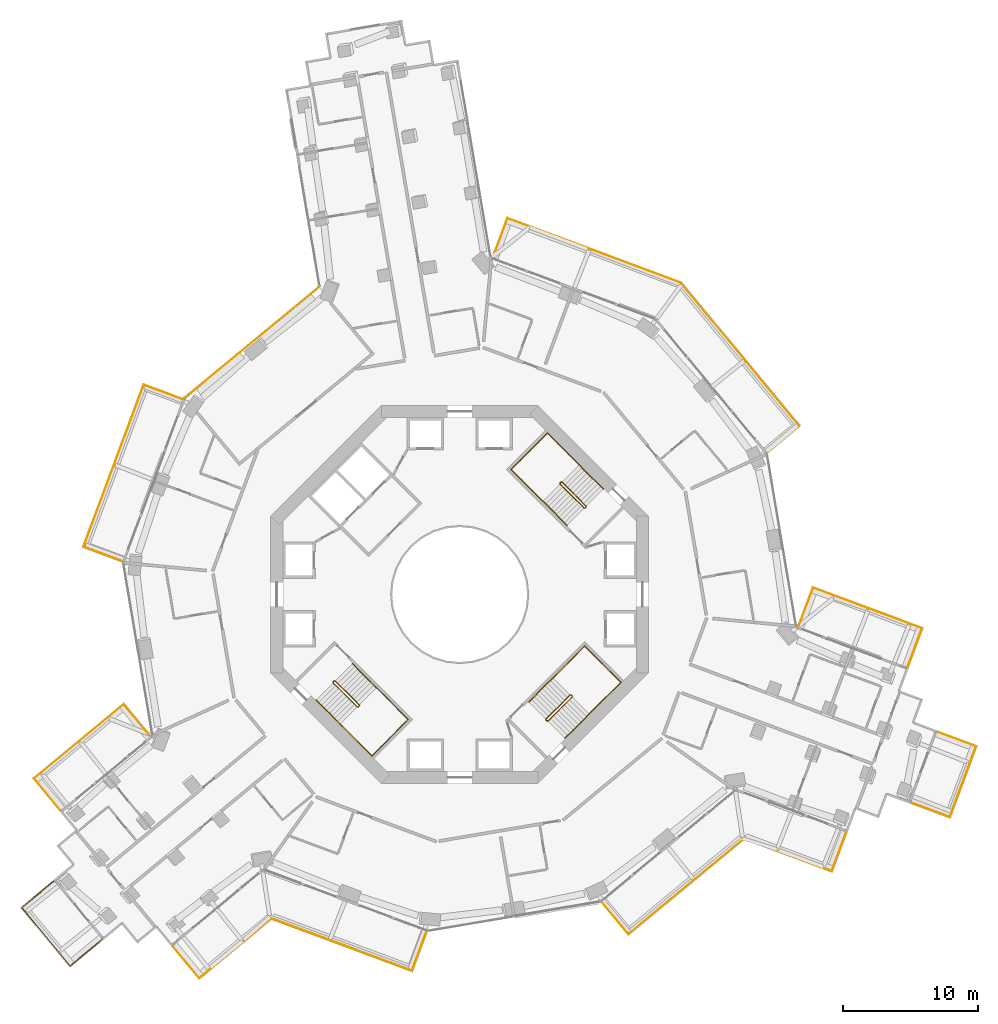
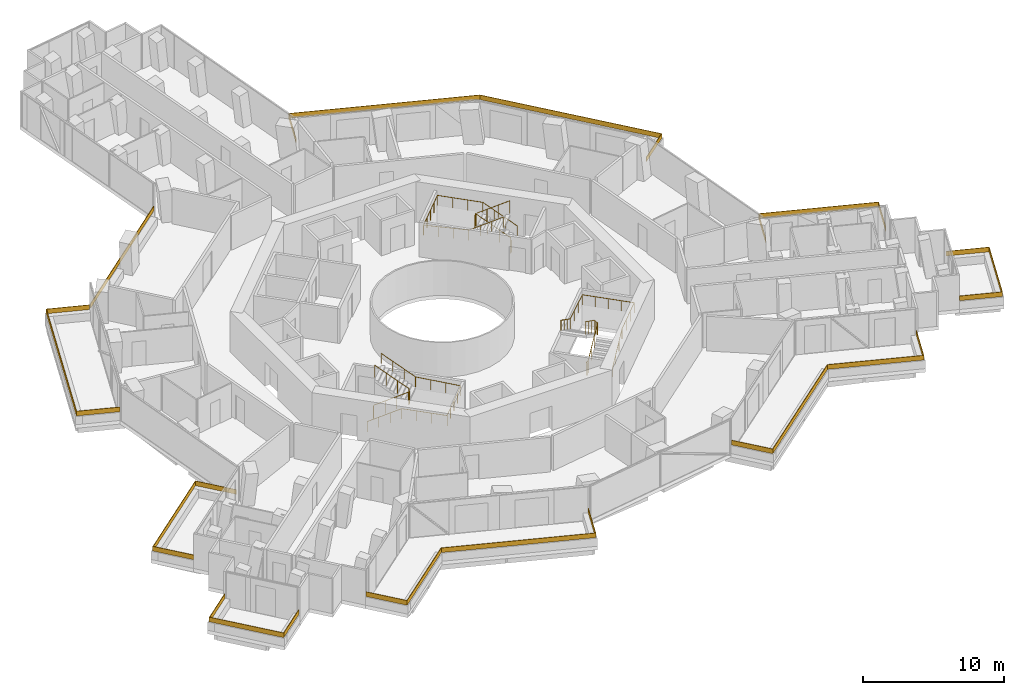
# One storey, part 27 of 27: 15 railings.
"""IFC4 building model written with IfcOpenShell, lengths in metres."""

from ifc_helpers import new_model, si_unit, direction, frame, origin, origin_2d, place, context, subcontext, project, spatial, polyline, rectangle, circle, outline, extrude, material, layer, layer_set, type_object, element, save


model = new_model("IFC4")

# Units and contexts
model_context = context("Model", 3, precision=1e-05, world=origin(), true_north=direction((0.0, 1.0)))
body_context = subcontext(model_context, "Body", "Model", "MODEL_VIEW")
ifc_project = project(units=[si_unit("LENGTHUNIT", "METRE"), si_unit("AREAUNIT", "SQUARE_METRE"), si_unit("VOLUMEUNIT", "CUBIC_METRE"), si_unit("PLANEANGLEUNIT", "RADIAN"), si_unit("MASSUNIT", "GRAM", prefix="KILO")], contexts=[model_context])

# Site, building, storey
site_placement = place(None, origin())
site = spatial("IfcSite", under=ifc_project, at=site_placement, CompositionType="ELEMENT")
building_placement = place(site_placement, origin())
building = spatial("IfcBuilding", under=site, at=building_placement, Name="Verdalira Terraces Hotel", CompositionType="ELEMENT")
storey_placement = place(building_placement, frame((0.0, 0.0, 71.5)))
storey = spatial("IfcBuildingStorey", under=building, at=storey_placement, Name="L16", CompositionType="ELEMENT", Elevation=71.5)

# Railings
ifc_material_1 = material(Name="Laminated glass", Category="glass")
ifc_layer = layer(ifc_material_1, 0.0400390625)
ifc_layer_set = layer_set([ifc_layer], Name="Balcony glass guard 400")
railing_type_1 = type_object("IfcRailingType", Name="Balcony glass guard 400", PredefinedType="GUARDRAIL", material=ifc_layer_set)
railing_1_placement = place(storey_placement, frame((0.0, 0.0, 0.699951)))
element("IfcRailing", 1, at=railing_1_placement, inside=storey, type_object=railing_type_1, Name="Balcony glass guard", PredefinedType="GUARDRAIL", context=body_context, shape_type="SweptSolid", body=[
    extrude(outline(polyline([(-23.399902, 15.509277), (-27.847656, 3.549561), (-24.96167, 2.476318), (-24.975586, 2.438721), (-27.89917, 3.525879), (-23.42334, 15.560791), (-20.5, 14.473389), (-20.513916, 14.436035), (-23.399902, 15.509277)])), origin(), (0.0, 0.0, 1.0), 0.400146),
])
railing_2_placement = place(storey_placement, frame((0.0, 0.0, 0.699951)))
element("IfcRailing", 2, at=railing_2_placement, inside=storey, type_object=railing_type_1, Name="Balcony glass guard", PredefinedType="GUARDRAIL", context=body_context, shape_type="SweptSolid", body=[
    extrude(outline(polyline([(-24.890381, -8.157715), (-31.501221, -13.626709), (-29.538574, -15.999268), (-29.569336, -16.024658), (-31.557617, -13.621338), (-24.88501, -8.101562), (-22.896973, -10.504639), (-22.927734, -10.530273), (-24.890381, -8.157715)])), origin(), (0.0, 0.0, 1.0), 0.400146),
])
railing_3_placement = place(storey_placement, frame((0.0, 0.0, 0.699951)))
element("IfcRailing", 3, at=railing_3_placement, inside=storey, type_object=railing_type_1, Name="Balcony glass guard", PredefinedType="GUARDRAIL", context=body_context, shape_type="SweptSolid", body=[
    extrude(outline(polyline([(-32.40625, -23.200684), (-28.862061, -27.484863), (-26.489746, -25.522217), (-26.464111, -25.552979), (-28.867432, -27.541016), (-32.462402, -23.195312), (-30.059326, -21.207275), (-30.033691, -21.238037), (-32.40625, -23.200684)])), origin(), (0.0, 0.0, 1.0), 0.400146),
])
railing_4_placement = place(storey_placement, frame((0.0, 0.0, 0.699951)))
element("IfcRailing", 4, at=railing_4_placement, inside=storey, type_object=railing_type_1, Name="Balcony glass guard", PredefinedType="GUARDRAIL", context=body_context, shape_type="SweptSolid", body=[
    extrude(outline(polyline([(-19.288086, -28.389893), (-13.955078, -23.977783), (-3.549561, -27.847656), (-2.476318, -24.96167), (-2.438721, -24.975586), (-3.525879, -27.89917), (-13.947266, -24.023438), (-19.293457, -28.446045), (-21.281494, -26.042969), (-21.250732, -26.017334), (-19.288086, -28.389893)])), origin(), (0.0, 0.0, 1.0), 0.400146),
])
railing_5_placement = place(storey_placement, frame((0.0, 0.0, 0.699951)))
element("IfcRailing", 5, at=railing_5_placement, inside=storey, type_object=railing_type_1, Name="Balcony glass guard", PredefinedType="GUARDRAIL", context=body_context, shape_type="SweptSolid", body=[
    extrude(outline(polyline([(12.510254, -25.131348), (21.064209, -18.054688), (27.551758, -20.467529), (28.625, -17.581543), (28.662598, -17.595459), (27.575195, -20.518799), (21.072021, -18.100342), (12.504883, -25.187744), (10.516846, -22.784424), (10.547607, -22.758789), (12.510254, -25.131348)])), origin(), (0.0, 0.0, 1.0), 0.400146),
])
railing_6_placement = place(storey_placement, frame((0.0, 0.0, 0.699951)))
element("IfcRailing", 6, at=railing_6_placement, inside=storey, type_object=railing_type_1, Name="Balcony glass guard", PredefinedType="GUARDRAIL", context=body_context, shape_type="SweptSolid", body=[
    extrude(outline(polyline([(36.295654, -16.464111), (38.233643, -11.25293), (35.347656, -10.179688), (35.361572, -10.14209), (38.284912, -11.229492), (36.319092, -16.515625), (33.395752, -15.428467), (33.409668, -15.390869), (36.295654, -16.464111)])), origin(), (0.0, 0.0, 1.0), 0.400146),
])
railing_7_placement = place(storey_placement, frame((0.0, 0.0, 0.699951)))
element("IfcRailing", 7, at=railing_7_placement, inside=storey, type_object=railing_type_1, Name="Balcony glass guard", PredefinedType="GUARDRAIL", context=body_context, shape_type="SweptSolid", body=[
    extrude(outline(polyline([(34.230469, -2.509033), (26.188721, 0.481445), (25.115479, -2.404297), (25.077881, -2.390381), (26.165039, 0.532959), (34.281738, -2.485596), (33.19458, -5.408936), (33.157227, -5.39502), (34.230469, -2.509033)])), origin(), (0.0, 0.0, 1.0), 0.400146),
])
railing_8_placement = place(storey_placement, frame((0.0, 0.0, 0.699951)))
element("IfcRailing", 8, at=railing_8_placement, inside=storey, type_object=railing_type_1, Name="Balcony glass guard", PredefinedType="GUARDRAIL", context=body_context, shape_type="SweptSolid", body=[
    extrude(outline(polyline([(25.131348, 12.510254), (16.395264, 23.070312), (3.549561, 27.847656), (2.476318, 24.96167), (2.438721, 24.975586), (3.525879, 27.89917), (16.419189, 23.104004), (25.187744, 12.504883), (22.784424, 10.516846), (22.758789, 10.547607), (25.131348, 12.510254)])), origin(), (0.0, 0.0, 1.0), 0.400146),
])
railing_9_placement = place(storey_placement, frame((-15.430908, 18.652832, 0.699951), z_axis=(0.0, 0.0, 1.0), x_axis=(-0.770513243, -0.63742399, 0.0)))
element("IfcRailing", 9, at=railing_9_placement, inside=storey, type_object=railing_type_1, Name="Loggia glass guard", PredefinedType="GUARDRAIL", context=body_context, shape_type="SweptSolid", body=[
    extrude(rectangle(XDim=12.840088, YDim=0.040039, at=origin_2d()), origin(), (0.0, 0.0, 1.0), 0.399902),
])
ifc_material_2 = material(Name="Stainless steel", Category="steel")
railing_type_2 = type_object("IfcRailingType", Name="Stair guard 1100", PredefinedType="GUARDRAIL", material=ifc_material_2)
railing_10_placement = place(storey_placement, frame((9.369141, 6.469971, 0.0)))
element("IfcRailing", 10, at=railing_10_placement, inside=storey, type_object=railing_type_2, Name="L16 ST1 stair guard 1", PredefinedType="GUARDRAIL", context=body_context, shape_type="SweptSolid", body=[
    extrude(circle(Radius=0.023926, at=origin_2d()), frame((0.0, 0.0, 1.076172), z_axis=(-0.70832698, -0.705884473, 0.0), x_axis=(0.705884473, -0.70832698, 0.0)), (0.0, 0.0, 1.0), 0.099854),
    extrude(circle(Radius=0.023926, at=origin_2d()), frame((-0.070801, -0.070557, 1.076172), z_axis=(0.300162975, 0.599290904, 0.742127078), x_axis=(-0.894118129, 0.447831187, 0.0)), (0.0, 0.0, 1.0), 0.23584),
    extrude(circle(Radius=0.023926, at=origin_2d()), frame((0.0, 0.070801, 1.250977), z_axis=(-0.599637504, 0.599637504, 0.52997144), x_axis=(-0.707106781, -0.707106781, 0.0)), (0.0, 0.0, 1.0), 2.97168),
    extrude(circle(Radius=0.023926, at=origin_2d()), frame((-1.781982, 1.852783, 2.826172), z_axis=(-1.0, 0.0, 0.0), x_axis=(0.0, -1.0, 0.0)), (0.0, 0.0, 1.0), 0.070557),
    extrude(circle(Radius=0.023926, at=origin_2d()), frame((-1.852539, 1.852783, 2.826172), z_axis=(-0.707106781, -0.707106781, 0.0), x_axis=(0.707106781, -0.707106781, 0.0)), (0.0, 0.0, 1.0), 0.100098),
    extrude(circle(Radius=0.023926, at=origin_2d()), frame((-1.92334, 1.781982, 2.826172), z_axis=(0.0, -0.374954687, 0.92704314), x_axis=(1.0, 0.0, 0.0)), (0.0, 0.0, 1.0), 0.188721),
    extrude(circle(Radius=0.023926, at=origin_2d()), frame((-1.92334, 1.711182, 3.000977), z_axis=(0.599667044, -0.599584886, 0.529997548), x_axis=(0.707058338, 0.707155221, 0.0)), (0.0, 0.0, 1.0), 2.97168),
    extrude(circle(Radius=0.020996, at=origin_2d()), origin(), (0.0, 0.0, 1.0), 1.052002),
    extrude(circle(Radius=0.020996, at=origin_2d()), frame((-0.070801, -0.070557, 0.0)), (0.0, 0.0, 1.0), 1.052002),
    extrude(circle(Radius=0.020996, at=origin_2d()), frame((0.0, 0.070801, 0.175049)), (0.0, 0.0, 1.0), 1.052002),
    extrude(circle(Radius=0.020996, at=origin_2d()), frame((-0.593994, 0.664795, 0.699951)), (0.0, 0.0, 1.0), 1.052002),
    extrude(circle(Radius=0.020996, at=origin_2d()), frame((-1.187988, 1.258789, 1.225098)), (0.0, 0.0, 1.0), 1.052002),
    extrude(circle(Radius=0.020996, at=origin_2d()), frame((-1.781982, 1.852783, 1.75)), (0.0, 0.0, 1.0), 1.052002),
    extrude(circle(Radius=0.020996, at=origin_2d()), frame((-1.852539, 1.852783, 1.75)), (0.0, 0.0, 1.0), 1.052002),
    extrude(circle(Radius=0.020996, at=origin_2d()), frame((-1.92334, 1.781982, 1.75)), (0.0, 0.0, 1.0), 1.052002),
    extrude(circle(Radius=0.020996, at=origin_2d()), frame((-1.92334, 1.711182, 1.925049)), (0.0, 0.0, 1.0), 1.052002),
    extrude(circle(Radius=0.020996, at=origin_2d()), frame((-1.329346, 1.117188, 2.449951)), (0.0, 0.0, 1.0), 1.052002),
    extrude(circle(Radius=0.020996, at=origin_2d()), frame((-0.735352, 0.523438, 2.975098)), (0.0, 0.0, 1.0), 1.052002),
    extrude(circle(Radius=0.020996, at=origin_2d()), frame((-0.141357, -0.070557, 3.5)), (0.0, 0.0, 1.0), 1.052002),
])
railing_11_placement = place(storey_placement, frame((-9.369141, -6.469971, 0.0)))
element("IfcRailing", 11, at=railing_11_placement, inside=storey, type_object=railing_type_2, Name="L16 ST2 stair guard 1", PredefinedType="GUARDRAIL", context=body_context, shape_type="SweptSolid", body=[
    extrude(circle(Radius=0.023926, at=origin_2d()), frame((0.0, 0.0, 1.076172), z_axis=(0.70832698, 0.705884473, 0.0), x_axis=(-0.705884473, 0.70832698, 0.0)), (0.0, 0.0, 1.0), 0.099854),
    extrude(circle(Radius=0.023926, at=origin_2d()), frame((0.070801, 0.070557, 1.076172), z_axis=(-0.300162975, -0.599290904, 0.742127078), x_axis=(0.894118129, -0.447831187, 0.0)), (0.0, 0.0, 1.0), 0.23584),
    extrude(circle(Radius=0.023926, at=origin_2d()), frame((0.0, -0.070801, 1.250977), z_axis=(0.599637504, -0.599637504, 0.52997144), x_axis=(0.707106781, 0.707106781, 0.0)), (0.0, 0.0, 1.0), 2.97168),
    extrude(circle(Radius=0.023926, at=origin_2d()), frame((1.781982, -1.852783, 2.826172), z_axis=(1.0, 0.0, 0.0), x_axis=(0.0, 1.0, 0.0)), (0.0, 0.0, 1.0), 0.070557),
    extrude(circle(Radius=0.023926, at=origin_2d()), frame((1.852539, -1.852783, 2.826172), z_axis=(0.707106781, 0.707106781, 0.0), x_axis=(-0.707106781, 0.707106781, 0.0)), (0.0, 0.0, 1.0), 0.100098),
    extrude(circle(Radius=0.023926, at=origin_2d()), frame((1.92334, -1.781982, 2.826172), z_axis=(0.0, 0.374954687, 0.92704314), x_axis=(-1.0, 0.0, 0.0)), (0.0, 0.0, 1.0), 0.188721),
    extrude(circle(Radius=0.023926, at=origin_2d()), frame((1.92334, -1.711182, 3.000977), z_axis=(-0.599667044, 0.599584886, 0.529997548), x_axis=(-0.707058338, -0.707155221, 0.0)), (0.0, 0.0, 1.0), 2.97168),
    extrude(circle(Radius=0.020996, at=origin_2d()), origin(), (0.0, 0.0, 1.0), 1.052002),
    extrude(circle(Radius=0.020996, at=origin_2d()), frame((0.070801, 0.070557, 0.0)), (0.0, 0.0, 1.0), 1.052002),
    extrude(circle(Radius=0.020996, at=origin_2d()), frame((0.0, -0.070801, 0.175049)), (0.0, 0.0, 1.0), 1.052002),
    extrude(circle(Radius=0.020996, at=origin_2d()), frame((0.593994, -0.664795, 0.699951)), (0.0, 0.0, 1.0), 1.052002),
    extrude(circle(Radius=0.020996, at=origin_2d()), frame((1.187988, -1.258789, 1.225098)), (0.0, 0.0, 1.0), 1.052002),
    extrude(circle(Radius=0.020996, at=origin_2d()), frame((1.781982, -1.852783, 1.75)), (0.0, 0.0, 1.0), 1.052002),
    extrude(circle(Radius=0.020996, at=origin_2d()), frame((1.852539, -1.852783, 1.75)), (0.0, 0.0, 1.0), 1.052002),
    extrude(circle(Radius=0.020996, at=origin_2d()), frame((1.92334, -1.781982, 1.75)), (0.0, 0.0, 1.0), 1.052002),
    extrude(circle(Radius=0.020996, at=origin_2d()), frame((1.92334, -1.711182, 1.925049)), (0.0, 0.0, 1.0), 1.052002),
    extrude(circle(Radius=0.020996, at=origin_2d()), frame((1.329346, -1.117188, 2.449951)), (0.0, 0.0, 1.0), 1.052002),
    extrude(circle(Radius=0.020996, at=origin_2d()), frame((0.735352, -0.523438, 2.975098)), (0.0, 0.0, 1.0), 1.052002),
    extrude(circle(Radius=0.020996, at=origin_2d()), frame((0.141357, 0.070557, 3.5)), (0.0, 0.0, 1.0), 1.052002),
])
railing_12_placement = place(storey_placement, frame((6.469971, -9.369141, 0.0)))
element("IfcRailing", 12, at=railing_12_placement, inside=storey, type_object=railing_type_2, Name="L16 ST3 stair guard 1", PredefinedType="GUARDRAIL", context=body_context, shape_type="SweptSolid", body=[
    extrude(circle(Radius=0.023926, at=origin_2d()), frame((0.0, 0.0, 1.076172), z_axis=(-0.705884473, 0.70832698, 0.0), x_axis=(-0.70832698, -0.705884473, 0.0)), (0.0, 0.0, 1.0), 0.099854),
    extrude(circle(Radius=0.023926, at=origin_2d()), frame((-0.070557, 0.070801, 1.076172), z_axis=(0.599290904, -0.300162975, 0.742127078), x_axis=(0.447831187, 0.894118129, 0.0)), (0.0, 0.0, 1.0), 0.23584),
    extrude(circle(Radius=0.023926, at=origin_2d()), frame((0.070801, 0.0, 1.250977), z_axis=(0.599637504, 0.599637504, 0.52997144), x_axis=(-0.707106781, 0.707106781, 0.0)), (0.0, 0.0, 1.0), 2.97168),
    extrude(circle(Radius=0.023926, at=origin_2d()), frame((1.852783, 1.781982, 2.826172), z_axis=(0.0, 1.0, 0.0), x_axis=(-1.0, 0.0, 0.0)), (0.0, 0.0, 1.0), 0.070557),
    extrude(circle(Radius=0.023926, at=origin_2d()), frame((1.852783, 1.852539, 2.826172), z_axis=(-0.707106781, 0.707106781, 0.0), x_axis=(-0.707106781, -0.707106781, 0.0)), (0.0, 0.0, 1.0), 0.100098),
    extrude(circle(Radius=0.023926, at=origin_2d()), frame((1.781982, 1.92334, 2.826172), z_axis=(-0.374954687, 0.0, 0.92704314), x_axis=(0.0, -1.0, 0.0)), (0.0, 0.0, 1.0), 0.188721),
    extrude(circle(Radius=0.023926, at=origin_2d()), frame((1.711182, 1.92334, 3.000977), z_axis=(-0.599584886, -0.599667044, 0.529997548), x_axis=(0.707155221, -0.707058338, 0.0)), (0.0, 0.0, 1.0), 2.97168),
    extrude(circle(Radius=0.020996, at=origin_2d()), origin(), (0.0, 0.0, 1.0), 1.052002),
    extrude(circle(Radius=0.020996, at=origin_2d()), frame((-0.070557, 0.070801, 0.0)), (0.0, 0.0, 1.0), 1.052002),
    extrude(circle(Radius=0.020996, at=origin_2d()), frame((0.070801, 0.0, 0.175049)), (0.0, 0.0, 1.0), 1.052002),
    extrude(circle(Radius=0.020996, at=origin_2d()), frame((0.664795, 0.593994, 0.699951)), (0.0, 0.0, 1.0), 1.052002),
    extrude(circle(Radius=0.020996, at=origin_2d()), frame((1.258789, 1.187988, 1.225098)), (0.0, 0.0, 1.0), 1.052002),
    extrude(circle(Radius=0.020996, at=origin_2d()), frame((1.852783, 1.781982, 1.75)), (0.0, 0.0, 1.0), 1.052002),
    extrude(circle(Radius=0.020996, at=origin_2d()), frame((1.852783, 1.852539, 1.75)), (0.0, 0.0, 1.0), 1.052002),
    extrude(circle(Radius=0.020996, at=origin_2d()), frame((1.781982, 1.92334, 1.75)), (0.0, 0.0, 1.0), 1.052002),
    extrude(circle(Radius=0.020996, at=origin_2d()), frame((1.711182, 1.92334, 1.925049)), (0.0, 0.0, 1.0), 1.052002),
    extrude(circle(Radius=0.020996, at=origin_2d()), frame((1.117188, 1.329346, 2.449951)), (0.0, 0.0, 1.0), 1.052002),
    extrude(circle(Radius=0.020996, at=origin_2d()), frame((0.523438, 0.735352, 2.975098)), (0.0, 0.0, 1.0), 1.052002),
    extrude(circle(Radius=0.020996, at=origin_2d()), frame((-0.070557, 0.141357, 3.5)), (0.0, 0.0, 1.0), 1.052002),
])
ifc_material_3 = material(Name="Stainless steel", Category="steel")
railing_type_3 = type_object("IfcRailingType", Name="Stair handrail 900", PredefinedType="HANDRAIL", material=ifc_material_3)
railing_13_placement = place(storey_placement, frame((10.641846, 7.813477, 0.175049)))
element("IfcRailing", 13, at=railing_13_placement, inside=storey, type_object=railing_type_3, Name="L16 ST1 stair handrail 1", PredefinedType="HANDRAIL", context=body_context, shape_type="SweptSolid", body=[
    extrude(circle(Radius=0.023926, at=origin_2d()), frame((0.0, 0.0, 0.875977), z_axis=(-0.599584886, 0.599667044, 0.529997548), x_axis=(-0.707155221, -0.707058338, 0.0)), (0.0, 0.0, 1.0), 2.97168),
    extrude(circle(Radius=0.023926, at=origin_2d()), frame((-1.781738, 1.781982, 2.450684), z_axis=(-0.707106781, 0.707106781, 0.0), x_axis=(-0.707106781, -0.707106781, 0.0)), (0.0, 0.0, 1.0), 3.330078),
    extrude(circle(Radius=0.023926, at=origin_2d()), frame((-4.136475, 4.136719, 2.450684), z_axis=(-0.707106781, -0.707106781, 0.0), x_axis=(0.707106781, -0.707106781, 0.0)), (0.0, 0.0, 1.0), 3.800049),
    extrude(circle(Radius=0.023926, at=origin_2d()), frame((-6.823486, 1.449707, 2.450684), z_axis=(0.706131881, -0.706131881, 0.052493163), x_axis=(0.707106781, 0.707106781, 0.0)), (0.0, 0.0, 1.0), 3.334717),
    extrude(circle(Radius=0.023926, at=origin_2d()), frame((-4.46875, -0.905029, 2.625977), z_axis=(0.599584886, -0.599667044, 0.529997548), x_axis=(0.707155221, 0.707058338, 0.0)), (0.0, 0.0, 1.0), 2.97168),
    extrude(circle(Radius=0.020996, at=origin_2d()), origin(), (0.0, 0.0, 1.0), 0.851807),
    extrude(circle(Radius=0.020996, at=origin_2d()), frame((-0.593994, 0.593994, 0.524902)), (0.0, 0.0, 1.0), 0.851807),
    extrude(circle(Radius=0.020996, at=origin_2d()), frame((-1.187744, 1.187988, 1.050049)), (0.0, 0.0, 1.0), 0.851807),
    extrude(circle(Radius=0.020996, at=origin_2d()), frame((-1.781738, 1.781982, 1.574951)), (0.0, 0.0, 1.0), 0.851807),
    extrude(circle(Radius=0.020996, at=origin_2d()), frame((-2.56665, 2.566895, 1.574951)), (0.0, 0.0, 1.0), 0.851807),
    extrude(circle(Radius=0.020996, at=origin_2d()), frame((-3.351562, 3.351807, 1.574951)), (0.0, 0.0, 1.0), 0.851807),
    extrude(circle(Radius=0.020996, at=origin_2d()), frame((-4.136475, 4.136719, 1.574951)), (0.0, 0.0, 1.0), 0.851807),
    extrude(circle(Radius=0.020996, at=origin_2d()), frame((-4.808105, 3.464844, 1.574951)), (0.0, 0.0, 1.0), 0.851807),
    extrude(circle(Radius=0.020996, at=origin_2d()), frame((-5.47998, 2.793213, 1.574951)), (0.0, 0.0, 1.0), 0.851807),
    extrude(circle(Radius=0.020996, at=origin_2d()), frame((-6.151855, 2.121582, 1.574951)), (0.0, 0.0, 1.0), 0.851807),
    extrude(circle(Radius=0.020996, at=origin_2d()), frame((-6.823486, 1.449707, 1.574951)), (0.0, 0.0, 1.0), 0.851807),
    extrude(circle(Radius=0.020996, at=origin_2d()), frame((-6.038574, 0.664795, 1.633301)), (0.0, 0.0, 1.0), 0.851807),
    extrude(circle(Radius=0.020996, at=origin_2d()), frame((-5.253662, -0.120117, 1.69165)), (0.0, 0.0, 1.0), 0.851807),
    extrude(circle(Radius=0.020996, at=origin_2d()), frame((-4.46875, -0.905029, 1.75)), (0.0, 0.0, 1.0), 0.851807),
    extrude(circle(Radius=0.020996, at=origin_2d()), frame((-3.874756, -1.499023, 2.274902)), (0.0, 0.0, 1.0), 0.851807),
    extrude(circle(Radius=0.020996, at=origin_2d()), frame((-3.281006, -2.093018, 2.800049)), (0.0, 0.0, 1.0), 0.851807),
    extrude(circle(Radius=0.020996, at=origin_2d()), frame((-2.687012, -2.687012, 3.324951)), (0.0, 0.0, 1.0), 0.851807),
])
railing_14_placement = place(storey_placement, frame((-10.641846, -7.813477, 0.175049)))
element("IfcRailing", 14, at=railing_14_placement, inside=storey, type_object=railing_type_3, Name="L16 ST2 stair handrail 1", PredefinedType="HANDRAIL", context=body_context, shape_type="SweptSolid", body=[
    extrude(circle(Radius=0.023926, at=origin_2d()), frame((0.0, 0.0, 0.875977), z_axis=(0.599584886, -0.599667044, 0.529997548), x_axis=(0.707155221, 0.707058338, 0.0)), (0.0, 0.0, 1.0), 2.97168),
    extrude(circle(Radius=0.023926, at=origin_2d()), frame((1.781738, -1.781982, 2.450684), z_axis=(0.707106781, -0.707106781, 0.0), x_axis=(0.707106781, 0.707106781, 0.0)), (0.0, 0.0, 1.0), 3.330078),
    extrude(circle(Radius=0.023926, at=origin_2d()), frame((4.136475, -4.136719, 2.450684), z_axis=(0.707106781, 0.707106781, 0.0), x_axis=(-0.707106781, 0.707106781, 0.0)), (0.0, 0.0, 1.0), 3.800049),
    extrude(circle(Radius=0.023926, at=origin_2d()), frame((6.823486, -1.449707, 2.450684), z_axis=(-0.706131881, 0.706131881, 0.052493163), x_axis=(-0.707106781, -0.707106781, 0.0)), (0.0, 0.0, 1.0), 3.334717),
    extrude(circle(Radius=0.023926, at=origin_2d()), frame((4.46875, 0.905029, 2.625977), z_axis=(-0.599584886, 0.599667044, 0.529997548), x_axis=(-0.707155221, -0.707058338, 0.0)), (0.0, 0.0, 1.0), 2.97168),
    extrude(circle(Radius=0.020996, at=origin_2d()), origin(), (0.0, 0.0, 1.0), 0.851807),
    extrude(circle(Radius=0.020996, at=origin_2d()), frame((0.593994, -0.593994, 0.524902)), (0.0, 0.0, 1.0), 0.851807),
    extrude(circle(Radius=0.020996, at=origin_2d()), frame((1.187744, -1.187988, 1.050049)), (0.0, 0.0, 1.0), 0.851807),
    extrude(circle(Radius=0.020996, at=origin_2d()), frame((1.781738, -1.781982, 1.574951)), (0.0, 0.0, 1.0), 0.851807),
    extrude(circle(Radius=0.020996, at=origin_2d()), frame((2.56665, -2.566895, 1.574951)), (0.0, 0.0, 1.0), 0.851807),
    extrude(circle(Radius=0.020996, at=origin_2d()), frame((3.351562, -3.351807, 1.574951)), (0.0, 0.0, 1.0), 0.851807),
    extrude(circle(Radius=0.020996, at=origin_2d()), frame((4.136475, -4.136719, 1.574951)), (0.0, 0.0, 1.0), 0.851807),
    extrude(circle(Radius=0.020996, at=origin_2d()), frame((4.808105, -3.464844, 1.574951)), (0.0, 0.0, 1.0), 0.851807),
    extrude(circle(Radius=0.020996, at=origin_2d()), frame((5.47998, -2.793213, 1.574951)), (0.0, 0.0, 1.0), 0.851807),
    extrude(circle(Radius=0.020996, at=origin_2d()), frame((6.151855, -2.121582, 1.574951)), (0.0, 0.0, 1.0), 0.851807),
    extrude(circle(Radius=0.020996, at=origin_2d()), frame((6.823486, -1.449707, 1.574951)), (0.0, 0.0, 1.0), 0.851807),
    extrude(circle(Radius=0.020996, at=origin_2d()), frame((6.038574, -0.664795, 1.633301)), (0.0, 0.0, 1.0), 0.851807),
    extrude(circle(Radius=0.020996, at=origin_2d()), frame((5.253662, 0.120117, 1.69165)), (0.0, 0.0, 1.0), 0.851807),
    extrude(circle(Radius=0.020996, at=origin_2d()), frame((4.46875, 0.905029, 1.75)), (0.0, 0.0, 1.0), 0.851807),
    extrude(circle(Radius=0.020996, at=origin_2d()), frame((3.874756, 1.499023, 2.274902)), (0.0, 0.0, 1.0), 0.851807),
    extrude(circle(Radius=0.020996, at=origin_2d()), frame((3.281006, 2.093018, 2.800049)), (0.0, 0.0, 1.0), 0.851807),
    extrude(circle(Radius=0.020996, at=origin_2d()), frame((2.687012, 2.687012, 3.324951)), (0.0, 0.0, 1.0), 0.851807),
])
railing_15_placement = place(storey_placement, frame((7.813477, -10.641846, 0.175049)))
element("IfcRailing", 15, at=railing_15_placement, inside=storey, type_object=railing_type_3, Name="L16 ST3 stair handrail 1", PredefinedType="HANDRAIL", context=body_context, shape_type="SweptSolid", body=[
    extrude(circle(Radius=0.023926, at=origin_2d()), frame((0.0, 0.0, 0.875977), z_axis=(0.599667044, 0.599584886, 0.529997548), x_axis=(-0.707058338, 0.707155221, 0.0)), (0.0, 0.0, 1.0), 2.97168),
    extrude(circle(Radius=0.023926, at=origin_2d()), frame((1.781982, 1.781738, 2.450684), z_axis=(0.707106781, 0.707106781, 0.0), x_axis=(-0.707106781, 0.707106781, 0.0)), (0.0, 0.0, 1.0), 3.330078),
    extrude(circle(Radius=0.023926, at=origin_2d()), frame((4.136719, 4.136475, 2.450684), z_axis=(-0.707106781, 0.707106781, 0.0), x_axis=(-0.707106781, -0.707106781, 0.0)), (0.0, 0.0, 1.0), 3.800049),
    extrude(circle(Radius=0.023926, at=origin_2d()), frame((1.449707, 6.823486, 2.450684), z_axis=(-0.706131881, -0.706131881, 0.052493163), x_axis=(0.707106781, -0.707106781, 0.0)), (0.0, 0.0, 1.0), 3.334717),
    extrude(circle(Radius=0.023926, at=origin_2d()), frame((-0.905029, 4.46875, 2.625977), z_axis=(-0.599667044, -0.599584886, 0.529997548), x_axis=(0.707058338, -0.707155221, 0.0)), (0.0, 0.0, 1.0), 2.97168),
    extrude(circle(Radius=0.020996, at=origin_2d()), origin(), (0.0, 0.0, 1.0), 0.851807),
    extrude(circle(Radius=0.020996, at=origin_2d()), frame((0.593994, 0.593994, 0.524902)), (0.0, 0.0, 1.0), 0.851807),
    extrude(circle(Radius=0.020996, at=origin_2d()), frame((1.187988, 1.187744, 1.050049)), (0.0, 0.0, 1.0), 0.851807),
    extrude(circle(Radius=0.020996, at=origin_2d()), frame((1.781982, 1.781738, 1.574951)), (0.0, 0.0, 1.0), 0.851807),
    extrude(circle(Radius=0.020996, at=origin_2d()), frame((2.566895, 2.56665, 1.574951)), (0.0, 0.0, 1.0), 0.851807),
    extrude(circle(Radius=0.020996, at=origin_2d()), frame((3.351807, 3.351562, 1.574951)), (0.0, 0.0, 1.0), 0.851807),
    extrude(circle(Radius=0.020996, at=origin_2d()), frame((4.136719, 4.136475, 1.574951)), (0.0, 0.0, 1.0), 0.851807),
    extrude(circle(Radius=0.020996, at=origin_2d()), frame((3.464844, 4.808105, 1.574951)), (0.0, 0.0, 1.0), 0.851807),
    extrude(circle(Radius=0.020996, at=origin_2d()), frame((2.793213, 5.47998, 1.574951)), (0.0, 0.0, 1.0), 0.851807),
    extrude(circle(Radius=0.020996, at=origin_2d()), frame((2.121582, 6.151855, 1.574951)), (0.0, 0.0, 1.0), 0.851807),
    extrude(circle(Radius=0.020996, at=origin_2d()), frame((1.449707, 6.823486, 1.574951)), (0.0, 0.0, 1.0), 0.851807),
    extrude(circle(Radius=0.020996, at=origin_2d()), frame((0.664795, 6.038574, 1.633301)), (0.0, 0.0, 1.0), 0.851807),
    extrude(circle(Radius=0.020996, at=origin_2d()), frame((-0.120117, 5.253662, 1.69165)), (0.0, 0.0, 1.0), 0.851807),
    extrude(circle(Radius=0.020996, at=origin_2d()), frame((-0.905029, 4.46875, 1.75)), (0.0, 0.0, 1.0), 0.851807),
    extrude(circle(Radius=0.020996, at=origin_2d()), frame((-1.499023, 3.874756, 2.274902)), (0.0, 0.0, 1.0), 0.851807),
    extrude(circle(Radius=0.020996, at=origin_2d()), frame((-2.093018, 3.281006, 2.800049)), (0.0, 0.0, 1.0), 0.851807),
    extrude(circle(Radius=0.020996, at=origin_2d()), frame((-2.687012, 2.687012, 3.324951)), (0.0, 0.0, 1.0), 0.851807),
])

save(model, "model.ifc")
